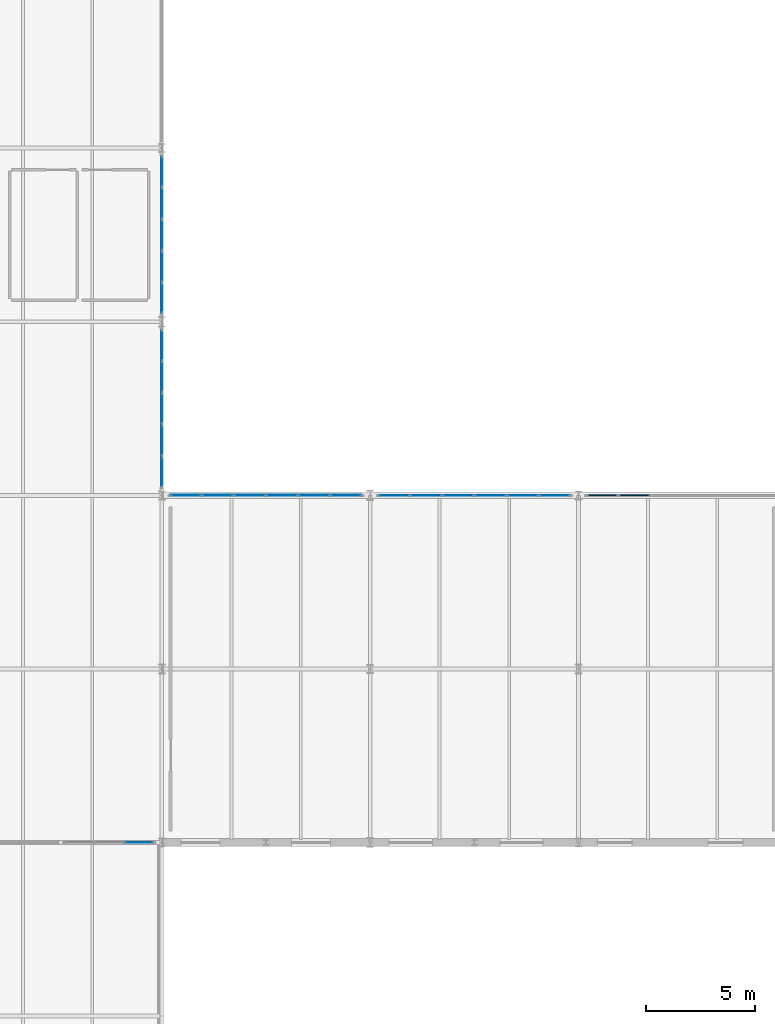
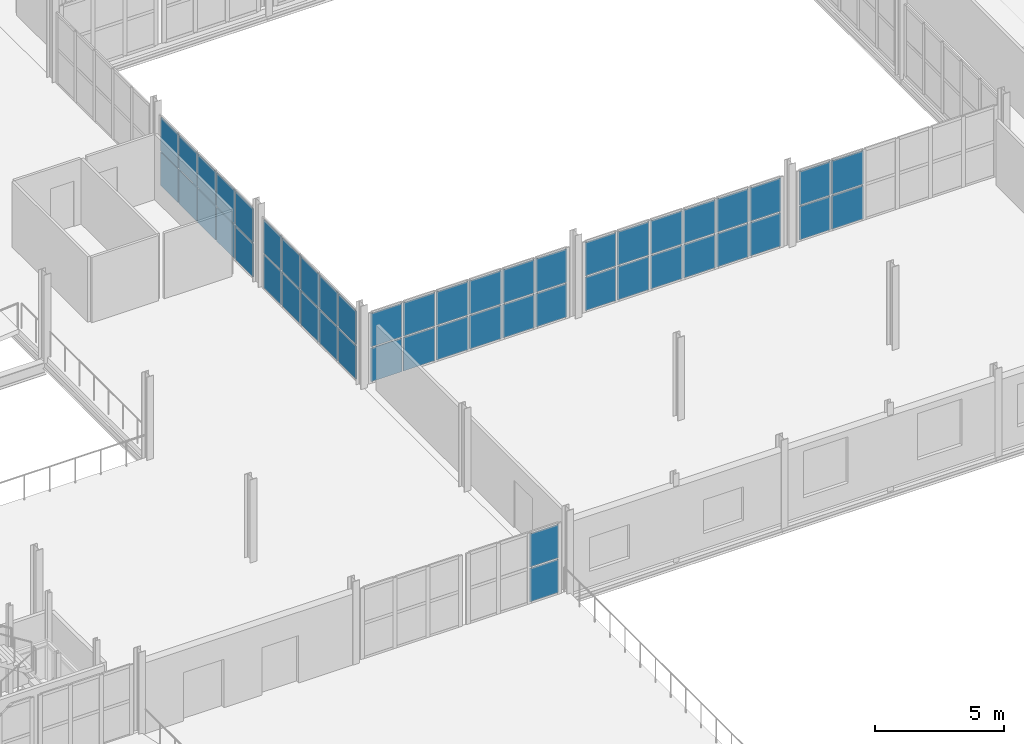
# One storey, part 59 of 85: 50 plates, 6 elements without a shape of their own.
"""IFC4 building model written with IfcOpenShell, lengths in metres."""

from ifc_helpers import new_model, si_unit, direction, frame, origin, origin_2d, place, context, subcontext, project, spatial, rectangle, extrude, material, layer, layer_set, type_object, element, aggregate, save


model = new_model("IFC4")

# Units and contexts
model_context = context("Model", 3, precision=1e-05, world=origin(), true_north=direction((0.0, 1.0)))
body_context = subcontext(model_context, "Body", "Model", "MODEL_VIEW")
ifc_project = project(units=[si_unit("LENGTHUNIT", "METRE"), si_unit("AREAUNIT", "SQUARE_METRE"), si_unit("VOLUMEUNIT", "CUBIC_METRE"), si_unit("PLANEANGLEUNIT", "RADIAN"), si_unit("MASSUNIT", "GRAM", prefix="KILO")], contexts=[model_context])

# Site, building, storey
site_placement = place(None, origin())
site = spatial("IfcSite", under=ifc_project, at=site_placement, CompositionType="ELEMENT")
building_placement = place(site_placement, origin())
building = spatial("IfcBuilding", under=site, at=building_placement, Name="Alderhovde Museum", CompositionType="ELEMENT")
storey_placement = place(building_placement, frame((0.0, 0.0, 8.699951171875)))
storey = spatial("IfcBuildingStorey", under=building, at=storey_placement, Name="L02", CompositionType="ELEMENT", Elevation=8.699951171875)

# Curtain wall, plates
ifc_material_1 = material(Name="Triple-Glazed Bronze-Anodised Curtain Wall", Category="glass")
ifc_layer_1 = layer(ifc_material_1, 0.179931640625)
ifc_layer_set_1 = layer_set([ifc_layer_1], Name="Triple-Glazed Bronze-Anodised Curtain Wall")
curtain_wall_type_1 = type_object("IfcCurtainWallType", Name="CW-UNIT-415x336", PredefinedType="USERDEFINED", material=ifc_layer_set_1)
curtain_wall_1_placement = place(storey_placement, origin())
curtain_wall_1 = element("IfcCurtainWall", 1, at=curtain_wall_1_placement, inside=storey, type_object=curtain_wall_type_1, Name="L02 Unitised Curtain Wall 40", ObjectType="UNITISED CURTAIN WALL", PredefinedType="USERDEFINED")
ifc_material_2 = material(Name="Triple-Glazed Low-E Laminated Glass", Category="glass")
ifc_layer_2 = layer(ifc_material_2, 0.028076171875)
ifc_layer_set_2 = layer_set([ifc_layer_2], Name="Triple-Glazed Low-E Laminated Glass")
plate_type_1 = type_object("IfcPlateType", Name="CWP-GLAZ-28", PredefinedType="CURTAIN_PANEL", material=ifc_layer_set_2)
plate_1_placement = place(storey_placement, frame((114.14208984375, 32.0, 0.06494140625), z_axis=(0.0, 0.0, 1.0), x_axis=(1.0, 0.0, 0.0)))
plate_1 = element("IfcPlate", 2, at=plate_1_placement, type_object=plate_type_1, Name="CW11 panel 3.1", PredefinedType="CURTAIN_PANEL", context=body_context, shape_type="SweptSolid", body=[
    extrude(rectangle(XDim=1.285888671875, YDim=0.028076171875, at=origin_2d()), origin(), (0.0, 0.0, 1.0), 1.58251953125),
])
plate_2_placement = place(storey_placement, frame((114.14208984375, 32.0, 1.712646484375), z_axis=(0.0, 0.0, 1.0), x_axis=(1.0, 0.0, 0.0)))
plate_2 = element("IfcPlate", 3, at=plate_2_placement, type_object=plate_type_1, Name="CW11 panel 3.2", PredefinedType="CURTAIN_PANEL", context=body_context, shape_type="SweptSolid", body=[
    extrude(rectangle(XDim=1.285888671875, YDim=0.028076171875, at=origin_2d()), origin(), (0.0, 0.0, 1.0), 1.58251953125),
])
aggregate(curtain_wall_1, [plate_1, plate_2])

ifc_material_3 = material(Name="Triple-Glazed Bronze-Anodised Curtain Wall", Category="glass")
ifc_layer_3 = layer(ifc_material_3, 0.179931640625)
ifc_layer_set_3 = layer_set([ifc_layer_3], Name="Triple-Glazed Bronze-Anodised Curtain Wall")
curtain_wall_type_2 = type_object("IfcCurtainWallType", Name="CW-STIC-890x336", PredefinedType="USERDEFINED", material=ifc_layer_set_3)
curtain_wall_2_placement = place(storey_placement, origin())
curtain_wall_2 = element("IfcCurtainWall", 4, at=curtain_wall_2_placement, inside=storey, type_object=curtain_wall_type_2, Name="L02 Stick Curtain Wall 160", ObjectType="STICK CURTAIN WALL", PredefinedType="USERDEFINED")
plate_3_placement = place(storey_placement, frame((125.907958984375, 48.0, 0.06494140625), z_axis=(0.0, 0.0, 1.0), x_axis=(1.0, 0.0, 0.0)))
plate_3 = element("IfcPlate", 5, at=plate_3_placement, type_object=plate_type_1, Name="CW38 panel 1.1", PredefinedType="CURTAIN_PANEL", context=body_context, shape_type="SweptSolid", body=[
    extrude(rectangle(XDim=1.3857421875, YDim=0.028076171875, at=origin_2d()), origin(), (0.0, 0.0, 1.0), 1.58251953125),
])
plate_4_placement = place(storey_placement, frame((125.907958984375, 48.0, 1.712646484375), z_axis=(0.0, 0.0, 1.0), x_axis=(1.0, 0.0, 0.0)))
plate_4 = element("IfcPlate", 6, at=plate_4_placement, type_object=plate_type_1, Name="CW38 panel 1.2", PredefinedType="CURTAIN_PANEL", context=body_context, shape_type="SweptSolid", body=[
    extrude(rectangle(XDim=1.3857421875, YDim=0.028076171875, at=origin_2d()), origin(), (0.0, 0.0, 1.0), 1.58251953125),
])
plate_5_placement = place(storey_placement, frame((127.375, 48.0, 0.06494140625), z_axis=(0.0, 0.0, 1.0), x_axis=(1.0, 0.0, 0.0)))
plate_5 = element("IfcPlate", 7, at=plate_5_placement, type_object=plate_type_1, Name="CW38 panel 2.1", PredefinedType="CURTAIN_PANEL", context=body_context, shape_type="SweptSolid", body=[
    extrude(rectangle(XDim=1.418212890625, YDim=0.028076171875, at=origin_2d()), origin(), (0.0, 0.0, 1.0), 1.58251953125),
])
plate_6_placement = place(storey_placement, frame((127.375, 48.0, 1.712646484375), z_axis=(0.0, 0.0, 1.0), x_axis=(1.0, 0.0, 0.0)))
plate_6 = element("IfcPlate", 8, at=plate_6_placement, type_object=plate_type_1, Name="CW38 panel 2.2", PredefinedType="CURTAIN_PANEL", context=body_context, shape_type="SweptSolid", body=[
    extrude(rectangle(XDim=1.418212890625, YDim=0.028076171875, at=origin_2d()), origin(), (0.0, 0.0, 1.0), 1.58251953125),
])
plate_7_placement = place(storey_placement, frame((128.8583984375, 48.0, 0.06494140625), z_axis=(0.0, 0.0, 1.0), x_axis=(1.0, 0.0, 0.0)))
plate_7 = element("IfcPlate", 9, at=plate_7_placement, type_object=plate_type_1, Name="CW38 panel 3.1", PredefinedType="CURTAIN_PANEL", context=body_context, shape_type="SweptSolid", body=[
    extrude(rectangle(XDim=1.418212890625, YDim=0.028076171875, at=origin_2d()), origin(), (0.0, 0.0, 1.0), 1.58251953125),
])
plate_8_placement = place(storey_placement, frame((128.8583984375, 48.0, 1.712646484375), z_axis=(0.0, 0.0, 1.0), x_axis=(1.0, 0.0, 0.0)))
plate_8 = element("IfcPlate", 10, at=plate_8_placement, type_object=plate_type_1, Name="CW38 panel 3.2", PredefinedType="CURTAIN_PANEL", context=body_context, shape_type="SweptSolid", body=[
    extrude(rectangle(XDim=1.418212890625, YDim=0.028076171875, at=origin_2d()), origin(), (0.0, 0.0, 1.0), 1.58251953125),
])
plate_9_placement = place(storey_placement, frame((130.341552734375, 48.0, 0.06494140625), z_axis=(0.0, 0.0, 1.0), x_axis=(1.0, 0.0, 0.0)))
plate_9 = element("IfcPlate", 11, at=plate_9_placement, type_object=plate_type_1, Name="CW38 panel 4.1", PredefinedType="CURTAIN_PANEL", context=body_context, shape_type="SweptSolid", body=[
    extrude(rectangle(XDim=1.418212890625, YDim=0.028076171875, at=origin_2d()), origin(), (0.0, 0.0, 1.0), 1.58251953125),
])
plate_10_placement = place(storey_placement, frame((130.341552734375, 48.0, 1.712646484375), z_axis=(0.0, 0.0, 1.0), x_axis=(1.0, 0.0, 0.0)))
plate_10 = element("IfcPlate", 12, at=plate_10_placement, type_object=plate_type_1, Name="CW38 panel 4.2", PredefinedType="CURTAIN_PANEL", context=body_context, shape_type="SweptSolid", body=[
    extrude(rectangle(XDim=1.418212890625, YDim=0.028076171875, at=origin_2d()), origin(), (0.0, 0.0, 1.0), 1.58251953125),
])
plate_11_placement = place(storey_placement, frame((131.824951171875, 48.0, 0.06494140625), z_axis=(0.0, 0.0, 1.0), x_axis=(1.0, 0.0, 0.0)))
plate_11 = element("IfcPlate", 13, at=plate_11_placement, type_object=plate_type_1, Name="CW38 panel 5.1", PredefinedType="CURTAIN_PANEL", context=body_context, shape_type="SweptSolid", body=[
    extrude(rectangle(XDim=1.418212890625, YDim=0.028076171875, at=origin_2d()), origin(), (0.0, 0.0, 1.0), 1.58251953125),
])
plate_12_placement = place(storey_placement, frame((131.824951171875, 48.0, 1.712646484375), z_axis=(0.0, 0.0, 1.0), x_axis=(1.0, 0.0, 0.0)))
plate_12 = element("IfcPlate", 14, at=plate_12_placement, type_object=plate_type_1, Name="CW38 panel 5.2", PredefinedType="CURTAIN_PANEL", context=body_context, shape_type="SweptSolid", body=[
    extrude(rectangle(XDim=1.418212890625, YDim=0.028076171875, at=origin_2d()), origin(), (0.0, 0.0, 1.0), 1.58251953125),
])
plate_13_placement = place(storey_placement, frame((133.2919921875, 48.0, 0.06494140625), z_axis=(0.0, 0.0, 1.0), x_axis=(1.0, 0.0, 0.0)))
plate_13 = element("IfcPlate", 15, at=plate_13_placement, type_object=plate_type_1, Name="CW38 panel 6.1", PredefinedType="CURTAIN_PANEL", context=body_context, shape_type="SweptSolid", body=[
    extrude(rectangle(XDim=1.3857421875, YDim=0.028076171875, at=origin_2d()), origin(), (0.0, 0.0, 1.0), 1.58251953125),
])
plate_14_placement = place(storey_placement, frame((133.2919921875, 48.0, 1.712646484375), z_axis=(0.0, 0.0, 1.0), x_axis=(1.0, 0.0, 0.0)))
plate_14 = element("IfcPlate", 16, at=plate_14_placement, type_object=plate_type_1, Name="CW38 panel 6.2", PredefinedType="CURTAIN_PANEL", context=body_context, shape_type="SweptSolid", body=[
    extrude(rectangle(XDim=1.3857421875, YDim=0.028076171875, at=origin_2d()), origin(), (0.0, 0.0, 1.0), 1.58251953125),
])
aggregate(curtain_wall_2, [plate_3, plate_4, plate_5, plate_6, plate_7, plate_8, plate_9, plate_10, plate_11, plate_12, plate_13, plate_14])

ifc_material_4 = material(Name="Triple-Glazed Bronze-Anodised Curtain Wall", Category="glass")
ifc_layer_4 = layer(ifc_material_4, 0.179931640625)
ifc_layer_set_4 = layer_set([ifc_layer_4], Name="Triple-Glazed Bronze-Anodised Curtain Wall")
curtain_wall_type_3 = type_object("IfcCurtainWallType", Name="CW-UNIT-730x336", PredefinedType="USERDEFINED", material=ifc_layer_set_4)
curtain_wall_3_placement = place(storey_placement, origin())
curtain_wall_3 = element("IfcCurtainWall", 17, at=curtain_wall_3_placement, inside=storey, type_object=curtain_wall_type_3, Name="L02 Unitised Curtain Wall 45", ObjectType="UNITISED CURTAIN WALL", PredefinedType="USERDEFINED")
ifc_material_5 = material(Name="Triple-Glazed Low-E Laminated Glass", Category="glass")
ifc_layer_5 = layer(ifc_material_5, 0.035888671875)
ifc_layer_set_5 = layer_set([ifc_layer_5], Name="Triple-Glazed Low-E Laminated Glass")
plate_type_2 = type_object("IfcPlateType", Name="CWP-GLAZ-36", PredefinedType="CURTAIN_PANEL", material=ifc_layer_set_5)
plate_15_placement = place(storey_placement, frame((115.199951171875, 49.09619140625, 0.06494140625), z_axis=(0.0, 0.0, 1.0), x_axis=(0.0, 1.0, 0.0)))
plate_15 = element("IfcPlate", 18, at=plate_15_placement, type_object=plate_type_2, Name="CW14 panel 1.1", PredefinedType="CURTAIN_PANEL", context=body_context, shape_type="SweptSolid", body=[
    extrude(rectangle(XDim=1.362548828125, YDim=0.035888671875, at=origin_2d()), origin(), (0.0, 0.0, 1.0), 1.58251953125),
])
plate_16_placement = place(storey_placement, frame((115.199951171875, 49.09619140625, 1.712646484375), z_axis=(0.0, 0.0, 1.0), x_axis=(0.0, 1.0, 0.0)))
plate_16 = element("IfcPlate", 19, at=plate_16_placement, type_object=plate_type_2, Name="CW14 panel 1.2", PredefinedType="CURTAIN_PANEL", context=body_context, shape_type="SweptSolid", body=[
    extrude(rectangle(XDim=1.362548828125, YDim=0.035888671875, at=origin_2d()), origin(), (0.0, 0.0, 1.0), 1.58251953125),
])
plate_17_placement = place(storey_placement, frame((115.199951171875, 50.5400390625, 0.06494140625), z_axis=(0.0, 0.0, 1.0), x_axis=(0.0, 1.0, 0.0)))
plate_17 = element("IfcPlate", 20, at=plate_17_placement, type_object=plate_type_2, Name="CW14 panel 2.1", PredefinedType="CURTAIN_PANEL", context=body_context, shape_type="SweptSolid", body=[
    extrude(rectangle(XDim=1.39501953125, YDim=0.035888671875, at=origin_2d()), origin(), (0.0, 0.0, 1.0), 1.58251953125),
])
plate_18_placement = place(storey_placement, frame((115.199951171875, 50.5400390625, 1.712646484375), z_axis=(0.0, 0.0, 1.0), x_axis=(0.0, 1.0, 0.0)))
plate_18 = element("IfcPlate", 21, at=plate_18_placement, type_object=plate_type_2, Name="CW14 panel 2.2", PredefinedType="CURTAIN_PANEL", context=body_context, shape_type="SweptSolid", body=[
    extrude(rectangle(XDim=1.39501953125, YDim=0.035888671875, at=origin_2d()), origin(), (0.0, 0.0, 1.0), 1.58251953125),
])
plate_19_placement = place(storey_placement, frame((115.199951171875, 52.0, 0.06494140625), z_axis=(0.0, 0.0, 1.0), x_axis=(0.0, 1.0, 0.0)))
plate_19 = element("IfcPlate", 22, at=plate_19_placement, type_object=plate_type_2, Name="CW14 panel 3.1", PredefinedType="CURTAIN_PANEL", context=body_context, shape_type="SweptSolid", body=[
    extrude(rectangle(XDim=1.39501953125, YDim=0.035888671875, at=origin_2d()), origin(), (0.0, 0.0, 1.0), 1.58251953125),
])
plate_20_placement = place(storey_placement, frame((115.199951171875, 52.0, 1.712646484375), z_axis=(0.0, 0.0, 1.0), x_axis=(0.0, 1.0, 0.0)))
plate_20 = element("IfcPlate", 23, at=plate_20_placement, type_object=plate_type_2, Name="CW14 panel 3.2", PredefinedType="CURTAIN_PANEL", context=body_context, shape_type="SweptSolid", body=[
    extrude(rectangle(XDim=1.39501953125, YDim=0.035888671875, at=origin_2d()), origin(), (0.0, 0.0, 1.0), 1.58251953125),
])
plate_21_placement = place(storey_placement, frame((115.199951171875, 53.4599609375, 0.06494140625), z_axis=(0.0, 0.0, 1.0), x_axis=(0.0, 1.0, 0.0)))
plate_21 = element("IfcPlate", 24, at=plate_21_placement, type_object=plate_type_2, Name="CW14 panel 4.1", PredefinedType="CURTAIN_PANEL", context=body_context, shape_type="SweptSolid", body=[
    extrude(rectangle(XDim=1.39501953125, YDim=0.035888671875, at=origin_2d()), origin(), (0.0, 0.0, 1.0), 1.58251953125),
])
plate_22_placement = place(storey_placement, frame((115.199951171875, 53.4599609375, 1.712646484375), z_axis=(0.0, 0.0, 1.0), x_axis=(0.0, 1.0, 0.0)))
plate_22 = element("IfcPlate", 25, at=plate_22_placement, type_object=plate_type_2, Name="CW14 panel 4.2", PredefinedType="CURTAIN_PANEL", context=body_context, shape_type="SweptSolid", body=[
    extrude(rectangle(XDim=1.39501953125, YDim=0.035888671875, at=origin_2d()), origin(), (0.0, 0.0, 1.0), 1.58251953125),
])
plate_23_placement = place(storey_placement, frame((115.199951171875, 54.90380859375, 0.06494140625), z_axis=(0.0, 0.0, 1.0), x_axis=(0.0, 1.0, 0.0)))
plate_23 = element("IfcPlate", 26, at=plate_23_placement, type_object=plate_type_2, Name="CW14 panel 5.1", PredefinedType="CURTAIN_PANEL", context=body_context, shape_type="SweptSolid", body=[
    extrude(rectangle(XDim=1.362548828125, YDim=0.035888671875, at=origin_2d()), origin(), (0.0, 0.0, 1.0), 1.58251953125),
])
plate_24_placement = place(storey_placement, frame((115.199951171875, 54.90380859375, 1.712646484375), z_axis=(0.0, 0.0, 1.0), x_axis=(0.0, 1.0, 0.0)))
plate_24 = element("IfcPlate", 27, at=plate_24_placement, type_object=plate_type_2, Name="CW14 panel 5.2", PredefinedType="CURTAIN_PANEL", context=body_context, shape_type="SweptSolid", body=[
    extrude(rectangle(XDim=1.362548828125, YDim=0.035888671875, at=origin_2d()), origin(), (0.0, 0.0, 1.0), 1.58251953125),
])
aggregate(curtain_wall_3, [plate_15, plate_16, plate_17, plate_18, plate_19, plate_20, plate_21, plate_22, plate_23, plate_24])

curtain_wall_4_placement = place(storey_placement, origin())
curtain_wall_4 = element("IfcCurtainWall", 28, at=curtain_wall_4_placement, inside=storey, type_object=curtain_wall_type_2, Name="L02 Stick Curtain Wall 157", ObjectType="STICK CURTAIN WALL", PredefinedType="USERDEFINED")
plate_25_placement = place(storey_placement, frame((116.307861328125, 48.0, 0.06494140625), z_axis=(0.0, 0.0, 1.0), x_axis=(1.0, 0.0, 0.0)))
plate_25 = element("IfcPlate", 29, at=plate_25_placement, type_object=plate_type_2, Name="CW38 panel 1.1", PredefinedType="CURTAIN_PANEL", context=body_context, shape_type="SweptSolid", body=[
    extrude(rectangle(XDim=1.3857421875, YDim=0.035888671875, at=origin_2d()), origin(), (0.0, 0.0, 1.0), 1.58251953125),
])
plate_26_placement = place(storey_placement, frame((116.307861328125, 48.0, 1.712646484375), z_axis=(0.0, 0.0, 1.0), x_axis=(1.0, 0.0, 0.0)))
plate_26 = element("IfcPlate", 30, at=plate_26_placement, type_object=plate_type_2, Name="CW38 panel 1.2", PredefinedType="CURTAIN_PANEL", context=body_context, shape_type="SweptSolid", body=[
    extrude(rectangle(XDim=1.3857421875, YDim=0.035888671875, at=origin_2d()), origin(), (0.0, 0.0, 1.0), 1.58251953125),
])
plate_27_placement = place(storey_placement, frame((117.77490234375, 48.0, 0.06494140625), z_axis=(0.0, 0.0, 1.0), x_axis=(1.0, 0.0, 0.0)))
plate_27 = element("IfcPlate", 31, at=plate_27_placement, type_object=plate_type_2, Name="CW38 panel 2.1", PredefinedType="CURTAIN_PANEL", context=body_context, shape_type="SweptSolid", body=[
    extrude(rectangle(XDim=1.418212890625, YDim=0.035888671875, at=origin_2d()), origin(), (0.0, 0.0, 1.0), 1.58251953125),
])
plate_28_placement = place(storey_placement, frame((117.77490234375, 48.0, 1.712646484375), z_axis=(0.0, 0.0, 1.0), x_axis=(1.0, 0.0, 0.0)))
plate_28 = element("IfcPlate", 32, at=plate_28_placement, type_object=plate_type_2, Name="CW38 panel 2.2", PredefinedType="CURTAIN_PANEL", context=body_context, shape_type="SweptSolid", body=[
    extrude(rectangle(XDim=1.418212890625, YDim=0.035888671875, at=origin_2d()), origin(), (0.0, 0.0, 1.0), 1.58251953125),
])
plate_29_placement = place(storey_placement, frame((119.25830078125, 48.0, 0.06494140625), z_axis=(0.0, 0.0, 1.0), x_axis=(1.0, 0.0, 0.0)))
plate_29 = element("IfcPlate", 33, at=plate_29_placement, type_object=plate_type_2, Name="CW38 panel 3.1", PredefinedType="CURTAIN_PANEL", context=body_context, shape_type="SweptSolid", body=[
    extrude(rectangle(XDim=1.418212890625, YDim=0.035888671875, at=origin_2d()), origin(), (0.0, 0.0, 1.0), 1.58251953125),
])
plate_30_placement = place(storey_placement, frame((119.25830078125, 48.0, 1.712646484375), z_axis=(0.0, 0.0, 1.0), x_axis=(1.0, 0.0, 0.0)))
plate_30 = element("IfcPlate", 34, at=plate_30_placement, type_object=plate_type_2, Name="CW38 panel 3.2", PredefinedType="CURTAIN_PANEL", context=body_context, shape_type="SweptSolid", body=[
    extrude(rectangle(XDim=1.418212890625, YDim=0.035888671875, at=origin_2d()), origin(), (0.0, 0.0, 1.0), 1.58251953125),
])
plate_31_placement = place(storey_placement, frame((120.74169921875, 48.0, 0.06494140625), z_axis=(0.0, 0.0, 1.0), x_axis=(1.0, 0.0, 0.0)))
plate_31 = element("IfcPlate", 35, at=plate_31_placement, type_object=plate_type_2, Name="CW38 panel 4.1", PredefinedType="CURTAIN_PANEL", context=body_context, shape_type="SweptSolid", body=[
    extrude(rectangle(XDim=1.418212890625, YDim=0.035888671875, at=origin_2d()), origin(), (0.0, 0.0, 1.0), 1.58251953125),
])
plate_32_placement = place(storey_placement, frame((120.74169921875, 48.0, 1.712646484375), z_axis=(0.0, 0.0, 1.0), x_axis=(1.0, 0.0, 0.0)))
plate_32 = element("IfcPlate", 36, at=plate_32_placement, type_object=plate_type_2, Name="CW38 panel 4.2", PredefinedType="CURTAIN_PANEL", context=body_context, shape_type="SweptSolid", body=[
    extrude(rectangle(XDim=1.418212890625, YDim=0.035888671875, at=origin_2d()), origin(), (0.0, 0.0, 1.0), 1.58251953125),
])
plate_33_placement = place(storey_placement, frame((122.22509765625, 48.0, 0.06494140625), z_axis=(0.0, 0.0, 1.0), x_axis=(1.0, 0.0, 0.0)))
plate_33 = element("IfcPlate", 37, at=plate_33_placement, type_object=plate_type_2, Name="CW38 panel 5.1", PredefinedType="CURTAIN_PANEL", context=body_context, shape_type="SweptSolid", body=[
    extrude(rectangle(XDim=1.418212890625, YDim=0.035888671875, at=origin_2d()), origin(), (0.0, 0.0, 1.0), 1.58251953125),
])
plate_34_placement = place(storey_placement, frame((122.22509765625, 48.0, 1.712646484375), z_axis=(0.0, 0.0, 1.0), x_axis=(1.0, 0.0, 0.0)))
plate_34 = element("IfcPlate", 38, at=plate_34_placement, type_object=plate_type_2, Name="CW38 panel 5.2", PredefinedType="CURTAIN_PANEL", context=body_context, shape_type="SweptSolid", body=[
    extrude(rectangle(XDim=1.418212890625, YDim=0.035888671875, at=origin_2d()), origin(), (0.0, 0.0, 1.0), 1.58251953125),
])
plate_35_placement = place(storey_placement, frame((123.692138671875, 48.0, 0.06494140625), z_axis=(0.0, 0.0, 1.0), x_axis=(1.0, 0.0, 0.0)))
plate_35 = element("IfcPlate", 39, at=plate_35_placement, type_object=plate_type_2, Name="CW38 panel 6.1", PredefinedType="CURTAIN_PANEL", context=body_context, shape_type="SweptSolid", body=[
    extrude(rectangle(XDim=1.3857421875, YDim=0.035888671875, at=origin_2d()), origin(), (0.0, 0.0, 1.0), 1.58251953125),
])
plate_36_placement = place(storey_placement, frame((123.692138671875, 48.0, 1.712646484375), z_axis=(0.0, 0.0, 1.0), x_axis=(1.0, 0.0, 0.0)))
plate_36 = element("IfcPlate", 40, at=plate_36_placement, type_object=plate_type_2, Name="CW38 panel 6.2", PredefinedType="CURTAIN_PANEL", context=body_context, shape_type="SweptSolid", body=[
    extrude(rectangle(XDim=1.3857421875, YDim=0.035888671875, at=origin_2d()), origin(), (0.0, 0.0, 1.0), 1.58251953125),
])
aggregate(curtain_wall_4, [plate_25, plate_26, plate_27, plate_28, plate_29, plate_30, plate_31, plate_32, plate_33, plate_34, plate_35, plate_36])

curtain_wall_5_placement = place(storey_placement, origin())
curtain_wall_5 = element("IfcCurtainWall", 41, at=curtain_wall_5_placement, inside=storey, type_object=curtain_wall_type_3, Name="L02 Unitised Curtain Wall 46", ObjectType="UNITISED CURTAIN WALL", PredefinedType="USERDEFINED")
ifc_material_6 = material(Name="Triple-Glazed Low-E Laminated Glass", Category="glass")
ifc_layer_6 = layer(ifc_material_6, 0.0439453125)
ifc_layer_set_6 = layer_set([ifc_layer_6], Name="Triple-Glazed Low-E Laminated Glass")
plate_type_3 = type_object("IfcPlateType", Name="CWP-GLAZ-44", PredefinedType="CURTAIN_PANEL", material=ifc_layer_set_6)
plate_37_placement = place(storey_placement, frame((115.199951171875, 57.09619140625, 0.06494140625), z_axis=(0.0, 0.0, 1.0), x_axis=(0.0, 1.0, 0.0)))
plate_37 = element("IfcPlate", 42, at=plate_37_placement, type_object=plate_type_3, Name="CW14 panel 1.1", PredefinedType="CURTAIN_PANEL", context=body_context, shape_type="SweptSolid", body=[
    extrude(rectangle(XDim=1.362548828125, YDim=0.0439453125, at=origin_2d()), origin(), (0.0, 0.0, 1.0), 1.58251953125),
])
plate_38_placement = place(storey_placement, frame((115.199951171875, 57.09619140625, 1.712646484375), z_axis=(0.0, 0.0, 1.0), x_axis=(0.0, 1.0, 0.0)))
plate_38 = element("IfcPlate", 43, at=plate_38_placement, type_object=plate_type_3, Name="CW14 panel 1.2", PredefinedType="CURTAIN_PANEL", context=body_context, shape_type="SweptSolid", body=[
    extrude(rectangle(XDim=1.362548828125, YDim=0.0439453125, at=origin_2d()), origin(), (0.0, 0.0, 1.0), 1.58251953125),
])
plate_39_placement = place(storey_placement, frame((115.199951171875, 58.5400390625, 0.06494140625), z_axis=(0.0, 0.0, 1.0), x_axis=(0.0, 1.0, 0.0)))
plate_39 = element("IfcPlate", 44, at=plate_39_placement, type_object=plate_type_3, Name="CW14 panel 2.1", PredefinedType="CURTAIN_PANEL", context=body_context, shape_type="SweptSolid", body=[
    extrude(rectangle(XDim=1.39501953125, YDim=0.0439453125, at=origin_2d()), origin(), (0.0, 0.0, 1.0), 1.58251953125),
])
plate_40_placement = place(storey_placement, frame((115.199951171875, 58.5400390625, 1.712646484375), z_axis=(0.0, 0.0, 1.0), x_axis=(0.0, 1.0, 0.0)))
plate_40 = element("IfcPlate", 45, at=plate_40_placement, type_object=plate_type_3, Name="CW14 panel 2.2", PredefinedType="CURTAIN_PANEL", context=body_context, shape_type="SweptSolid", body=[
    extrude(rectangle(XDim=1.39501953125, YDim=0.0439453125, at=origin_2d()), origin(), (0.0, 0.0, 1.0), 1.58251953125),
])
plate_41_placement = place(storey_placement, frame((115.199951171875, 60.0, 0.06494140625), z_axis=(0.0, 0.0, 1.0), x_axis=(0.0, 1.0, 0.0)))
plate_41 = element("IfcPlate", 46, at=plate_41_placement, type_object=plate_type_3, Name="CW14 panel 3.1", PredefinedType="CURTAIN_PANEL", context=body_context, shape_type="SweptSolid", body=[
    extrude(rectangle(XDim=1.39501953125, YDim=0.0439453125, at=origin_2d()), origin(), (0.0, 0.0, 1.0), 1.58251953125),
])
plate_42_placement = place(storey_placement, frame((115.199951171875, 60.0, 1.712646484375), z_axis=(0.0, 0.0, 1.0), x_axis=(0.0, 1.0, 0.0)))
plate_42 = element("IfcPlate", 47, at=plate_42_placement, type_object=plate_type_3, Name="CW14 panel 3.2", PredefinedType="CURTAIN_PANEL", context=body_context, shape_type="SweptSolid", body=[
    extrude(rectangle(XDim=1.39501953125, YDim=0.0439453125, at=origin_2d()), origin(), (0.0, 0.0, 1.0), 1.58251953125),
])
plate_43_placement = place(storey_placement, frame((115.199951171875, 61.4599609375, 0.06494140625), z_axis=(0.0, 0.0, 1.0), x_axis=(0.0, 1.0, 0.0)))
plate_43 = element("IfcPlate", 48, at=plate_43_placement, type_object=plate_type_3, Name="CW14 panel 4.1", PredefinedType="CURTAIN_PANEL", context=body_context, shape_type="SweptSolid", body=[
    extrude(rectangle(XDim=1.39501953125, YDim=0.0439453125, at=origin_2d()), origin(), (0.0, 0.0, 1.0), 1.58251953125),
])
plate_44_placement = place(storey_placement, frame((115.199951171875, 61.4599609375, 1.712646484375), z_axis=(0.0, 0.0, 1.0), x_axis=(0.0, 1.0, 0.0)))
plate_44 = element("IfcPlate", 49, at=plate_44_placement, type_object=plate_type_3, Name="CW14 panel 4.2", PredefinedType="CURTAIN_PANEL", context=body_context, shape_type="SweptSolid", body=[
    extrude(rectangle(XDim=1.39501953125, YDim=0.0439453125, at=origin_2d()), origin(), (0.0, 0.0, 1.0), 1.58251953125),
])
plate_45_placement = place(storey_placement, frame((115.199951171875, 62.90380859375, 0.06494140625), z_axis=(0.0, 0.0, 1.0), x_axis=(0.0, 1.0, 0.0)))
plate_45 = element("IfcPlate", 50, at=plate_45_placement, type_object=plate_type_3, Name="CW14 panel 5.1", PredefinedType="CURTAIN_PANEL", context=body_context, shape_type="SweptSolid", body=[
    extrude(rectangle(XDim=1.362548828125, YDim=0.0439453125, at=origin_2d()), origin(), (0.0, 0.0, 1.0), 1.58251953125),
])
plate_46_placement = place(storey_placement, frame((115.199951171875, 62.90380859375, 1.712646484375), z_axis=(0.0, 0.0, 1.0), x_axis=(0.0, 1.0, 0.0)))
plate_46 = element("IfcPlate", 51, at=plate_46_placement, type_object=plate_type_3, Name="CW14 panel 5.2", PredefinedType="CURTAIN_PANEL", context=body_context, shape_type="SweptSolid", body=[
    extrude(rectangle(XDim=1.362548828125, YDim=0.0439453125, at=origin_2d()), origin(), (0.0, 0.0, 1.0), 1.58251953125),
])
aggregate(curtain_wall_5, [plate_37, plate_38, plate_39, plate_40, plate_41, plate_42, plate_43, plate_44, plate_45, plate_46])

curtain_wall_6_placement = place(storey_placement, origin())
curtain_wall_6 = element("IfcCurtainWall", 52, at=curtain_wall_6_placement, inside=storey, type_object=curtain_wall_type_2, Name="L02 Stick Curtain Wall 163", ObjectType="STICK CURTAIN WALL", PredefinedType="USERDEFINED")
ifc_material_7 = material(Name="Triple-Glazed Low-E Laminated Glass", Category="glass")
ifc_layer_7 = layer(ifc_material_7, 0.052001953125)
ifc_layer_set_7 = layer_set([ifc_layer_7], Name="Triple-Glazed Low-E Laminated Glass")
plate_type_4 = type_object("IfcPlateType", Name="CWP-GLAZ-52", PredefinedType="CURTAIN_PANEL", material=ifc_layer_set_7)
plate_47_placement = place(storey_placement, frame((135.5078125, 48.0, 0.06494140625), z_axis=(0.0, 0.0, 1.0), x_axis=(1.0, 0.0, 0.0)))
plate_47 = element("IfcPlate", 53, at=plate_47_placement, type_object=plate_type_4, Name="CW38 panel 1.1", PredefinedType="CURTAIN_PANEL", context=body_context, shape_type="SweptSolid", body=[
    extrude(rectangle(XDim=1.3857421875, YDim=0.052001953125, at=origin_2d()), origin(), (0.0, 0.0, 1.0), 1.58251953125),
])
plate_48_placement = place(storey_placement, frame((135.5078125, 48.0, 1.712646484375), z_axis=(0.0, 0.0, 1.0), x_axis=(1.0, 0.0, 0.0)))
plate_48 = element("IfcPlate", 54, at=plate_48_placement, type_object=plate_type_4, Name="CW38 panel 1.2", PredefinedType="CURTAIN_PANEL", context=body_context, shape_type="SweptSolid", body=[
    extrude(rectangle(XDim=1.3857421875, YDim=0.052001953125, at=origin_2d()), origin(), (0.0, 0.0, 1.0), 1.58251953125),
])
plate_49_placement = place(storey_placement, frame((136.97509765625, 48.0, 0.06494140625), z_axis=(0.0, 0.0, 1.0), x_axis=(1.0, 0.0, 0.0)))
plate_49 = element("IfcPlate", 55, at=plate_49_placement, type_object=plate_type_4, Name="CW38 panel 2.1", PredefinedType="CURTAIN_PANEL", context=body_context, shape_type="SweptSolid", body=[
    extrude(rectangle(XDim=1.418212890625, YDim=0.052001953125, at=origin_2d()), origin(), (0.0, 0.0, 1.0), 1.58251953125),
])
plate_50_placement = place(storey_placement, frame((136.97509765625, 48.0, 1.712646484375), z_axis=(0.0, 0.0, 1.0), x_axis=(1.0, 0.0, 0.0)))
plate_50 = element("IfcPlate", 56, at=plate_50_placement, type_object=plate_type_4, Name="CW38 panel 2.2", PredefinedType="CURTAIN_PANEL", context=body_context, shape_type="SweptSolid", body=[
    extrude(rectangle(XDim=1.418212890625, YDim=0.052001953125, at=origin_2d()), origin(), (0.0, 0.0, 1.0), 1.58251953125),
])
aggregate(curtain_wall_6, [plate_47, plate_48, plate_49, plate_50])

save(model, "model.ifc")
